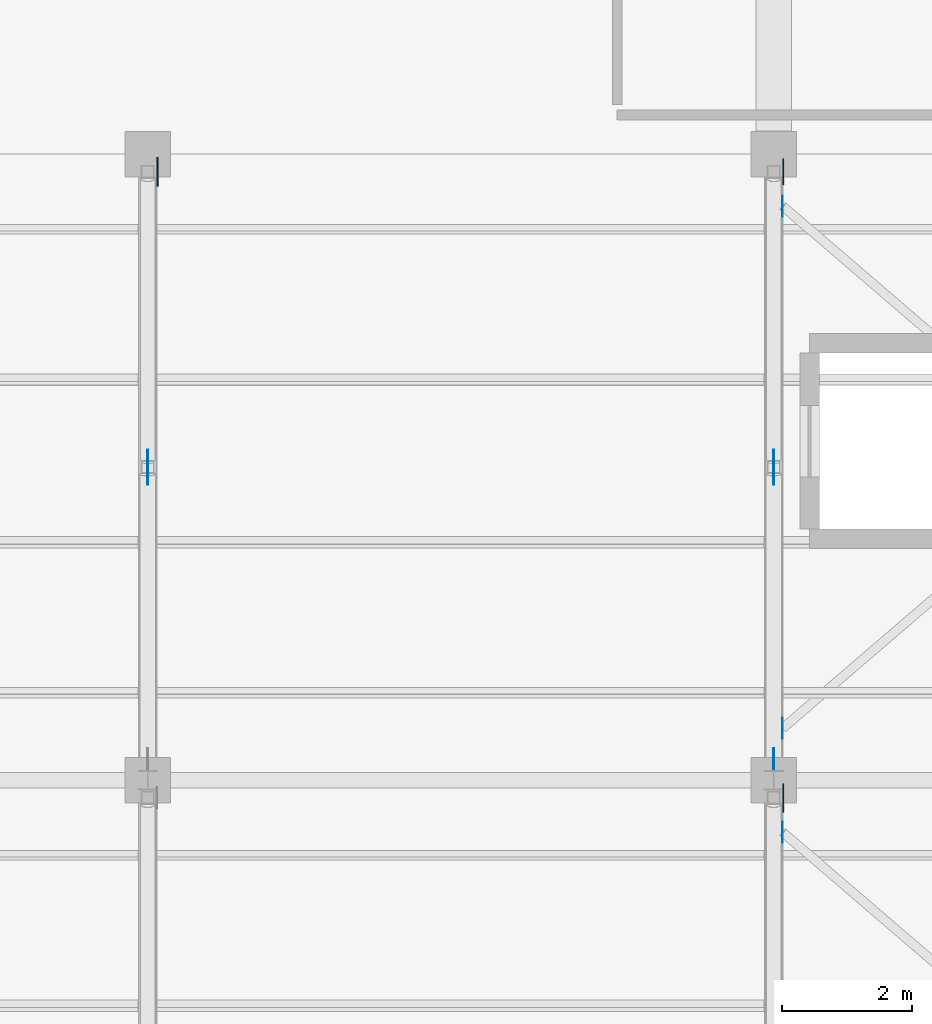
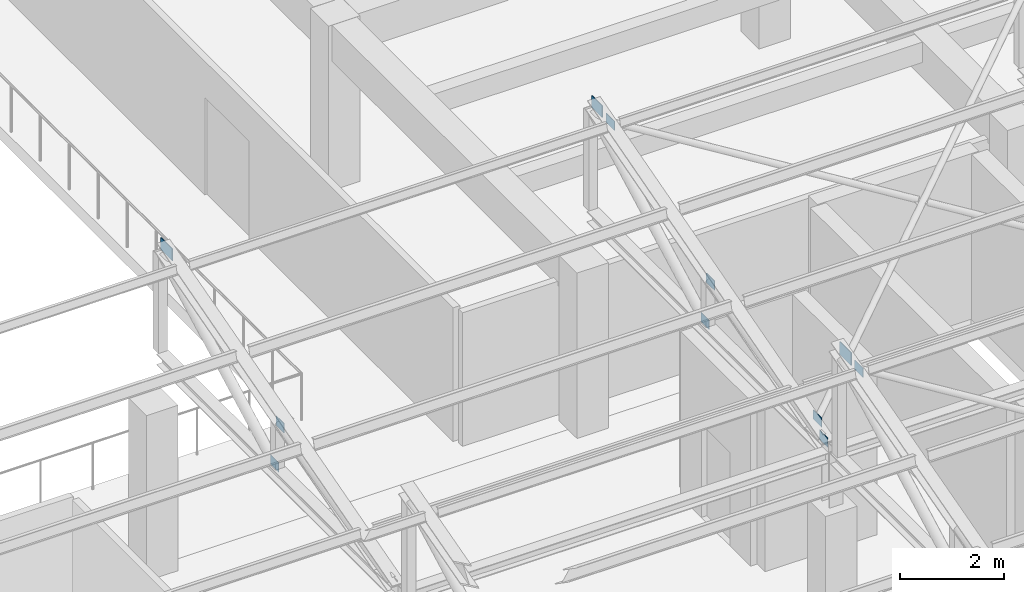
# One storey, part 52 of 71: 11 plates.
"""IFC4 building model written with IfcOpenShell, lengths in metres."""

import ifcopenshell
import ifcopenshell.guid

model = None  # the IFC model being written
_history = None  # IfcOwnerHistory: only IFC2X3 demands one
_inside = {}  # id of a spatial element -> (the spatial element, [elements in it])
_under = {}  # id of a project, library or spatial element -> (it, [spatial elements below it])
_declared = {}  # id of a project -> (the project, [libraries it declares])
_typed = {}  # id of a type object -> (the type object, [elements of that type])
_made_of = {}  # id of a material, layer set ... -> (it, [elements and type objects made of it])


def new_model(schema):
    """Start an empty IFC model of exactly this schema.

    Asked for "IFC4X3", IfcOpenShell would pick the latest addendum, in which some entities
    have other attributes; the version numbers below select the first issue.
    IFC2X3 requires an IfcOwnerHistory on every rooted entity: one is made here for all.
    """
    global model, _history
    if schema == "IFC4X3":
        model = ifcopenshell.file(schema_version=(4, 3, 0, 0))
    else:
        model = ifcopenshell.file(schema=schema)
    _inside.clear()
    _under.clear()
    _declared.clear()
    _typed.clear()
    _made_of.clear()
    _history = None
    if model.schema == "IFC2X3":
        org = make("IfcOrganization", Name="unknown")
        user = make(
            "IfcPersonAndOrganization",
            ThePerson=make("IfcPerson", FamilyName="unknown"),
            TheOrganization=org,
        )
        app = make(
            "IfcApplication",
            ApplicationDeveloper=org,
            Version="unknown",
            ApplicationFullName="unknown",
            ApplicationIdentifier="unknown",
        )
        _history = make(
            "IfcOwnerHistory",
            OwningUser=user,
            OwningApplication=app,
            ChangeAction="ADDED",
            CreationDate=0,
        )
    return model


def make(cls, **values):
    """One entity of the class cls with the attributes given. An attribute that is None is left unset."""
    return model.create_entity(
        cls, **{name: value for name, value in values.items() if value is not None}
    )


def rooted(cls, **values):
    """An entity with a GlobalId (a new one), such as an element, a storey or a relation."""
    return make(cls, GlobalId=ifcopenshell.guid.new(), OwnerHistory=_history, **values)


def si_unit(unit_type, name, prefix=None):
    """IfcSIUnit, for example si_unit("LENGTHUNIT", "METRE", prefix="MILLI")."""
    return make("IfcSIUnit", UnitType=unit_type, Prefix=prefix, Name=name)


def assignment(units):
    """IfcUnitAssignment: the units of a project."""
    return None if units is None else make("IfcUnitAssignment", Units=units)


def point(xyz):
    """IfcCartesianPoint."""
    return None if xyz is None else make("IfcCartesianPoint", Coordinates=xyz)


def direction(xyz):
    """IfcDirection."""
    return None if xyz is None else make("IfcDirection", DirectionRatios=xyz)


def frame(location, z_axis=None, x_axis=None):
    """IfcAxis2Placement3D, a coordinate frame: its origin and axes. An axis left out is left unset."""
    return make(
        "IfcAxis2Placement3D",
        Location=point(location),
        Axis=direction(z_axis),
        RefDirection=direction(x_axis),
    )


def frame_2d(location, x_axis=None):
    """IfcAxis2Placement2D, a coordinate frame in the plane: its origin and x axis."""
    return make(
        "IfcAxis2Placement2D", Location=point(location), RefDirection=direction(x_axis)
    )


def origin():
    """The frame at (0, 0, 0) with its axes left unset."""
    return frame((0.0, 0.0, 0.0))


def origin_2d():
    """The frame at (0, 0) in the plane with its x axis left unset."""
    return frame_2d((0.0, 0.0))


def place(relative_to, where):
    """IfcLocalPlacement: puts the frame where relative to a parent placement (None: the world)."""
    return make(
        "IfcLocalPlacement", PlacementRelTo=relative_to, RelativePlacement=where
    )


def context(
    kind, dimensions, precision=None, world=None, true_north=None, identifier=None
):
    """IfcGeometricRepresentationContext, for example the 3D "Model" context."""
    return make(
        "IfcGeometricRepresentationContext",
        ContextIdentifier=identifier,
        ContextType=kind,
        CoordinateSpaceDimension=dimensions,
        Precision=precision,
        WorldCoordinateSystem=world,
        TrueNorth=true_north,
    )


def subcontext(parent, identifier, kind, view, scale=None):
    """IfcGeometricRepresentationSubContext, for example "Body" below "Model"."""
    return make(
        "IfcGeometricRepresentationSubContext",
        ContextIdentifier=identifier,
        ContextType=kind,
        ParentContext=parent,
        TargetScale=scale,
        TargetView=view,
    )


def project(units=None, contexts=None):
    """IfcProject with its units and contexts."""
    return rooted(
        "IfcProject",
        Name="project",
        RepresentationContexts=contexts,
        UnitsInContext=assignment(units),
    )


def spatial(cls, under=None, at=None, **own):
    """A site, building, storey or space (cls), placed at a placement, below another one or the project."""
    s = rooted(cls, ObjectPlacement=at, **own)
    if under is not None:
        _under.setdefault(under.id(), (under, []))[1].append(s)
    return s


def profile(cls, at=None, kind="AREA", **sizes):
    """A parametric profile (cls). Its sizes go by their IFC names, for example OverallWidth=200.0."""
    return make(cls, ProfileType=kind, Position=at, **sizes)


def rectangle(**sizes):
    """IfcRectangleProfileDef."""
    return profile("IfcRectangleProfileDef", **sizes)


def extrude(swept, where, along, depth):
    """IfcExtrudedAreaSolid: the profile swept, set in the frame where, extruded along a direction by depth."""
    return make(
        "IfcExtrudedAreaSolid",
        SweptArea=swept,
        Position=where,
        ExtrudedDirection=direction(along),
        Depth=depth,
    )


def shape(context_of_items, identifier, shape_type, items):
    """IfcShapeRepresentation: the items that make up one representation, for example the "Body"."""
    return make(
        "IfcShapeRepresentation",
        ContextOfItems=context_of_items,
        RepresentationIdentifier=identifier,
        RepresentationType=shape_type,
        Items=items,
    )


def material(Name=None, Category=None):
    """IfcMaterial."""
    return make("IfcMaterial", Name=Name, Category=Category)


def layer(
    of_material, thickness, ventilated=None, Name=None, Category=None, Priority=None
):
    """IfcMaterialLayer: one layer of a wall or slab, of a material (None: an air gap)."""
    return make(
        "IfcMaterialLayer",
        Material=of_material,
        LayerThickness=thickness,
        IsVentilated=ventilated,
        Name=Name,
        Category=Category,
        Priority=Priority,
    )


def layer_set(layers, Name=None):
    """IfcMaterialLayerSet."""
    return make("IfcMaterialLayerSet", MaterialLayers=layers, LayerSetName=Name)


def made_of(thing, what):
    """Note that an element or type object is made of a material, layer set ...; save() writes the relation."""
    if what is not None:
        _made_of.setdefault(what.id(), (what, []))[1].append(thing)
    return thing


def type_object(cls, material=None, **own):
    """A type object (cls), such as IfcWallType, which elements share."""
    return made_of(rooted(cls, **own), material)


def element(
    cls,
    number,
    at=None,
    inside=None,
    cuts=None,
    type_object=None,
    material=None,
    context=None,
    identifier="Body",
    shape_type=None,
    held_by="IfcProductDefinitionShape",
    body=None,
    shapes=None,
    **own,
):
    """One element of the class cls, such as IfcWall. Its Tag is "e" and its number.

    at: its placement. inside: the storey or other place that contains it. cuts: it is an
    opening in that element (IfcRelVoidsElement). A single representation is given by context,
    identifier, shape_type and body (its items); several are given by shapes. held_by: the class
    of the entity that holds the representations. save() writes the other relations.
    """
    e = rooted(cls, Tag="e%d" % number, ObjectPlacement=at, **own)
    if body is not None:
        shapes = [shape(context, identifier, shape_type, body)]
    if shapes is not None:
        e.Representation = make(held_by, Representations=shapes)
    if inside is not None:
        _inside.setdefault(inside.id(), (inside, []))[1].append(e)
    if cuts is not None:
        rooted(
            "IfcRelVoidsElement", RelatingBuildingElement=cuts, RelatedOpeningElement=e
        )
    if type_object is not None:
        _typed.setdefault(type_object.id(), (type_object, []))[1].append(e)
    return made_of(e, material)


def aggregate(whole, parts):
    """IfcRelAggregates: a whole, such as a stair, and the parts it consists of."""
    return rooted("IfcRelAggregates", RelatingObject=whole, RelatedObjects=parts)


def save(model, path):
    """Write the relations noted so far, then the file.

    IfcRelAggregates (storeys below a building ...), IfcRelContainedInSpatialStructure (elements
    in a storey), IfcRelDefinesByType, IfcRelAssociatesMaterial and IfcRelDeclares: one each for
    every whole, place, type object, material and project.
    """
    for whole, parts in _under.values():
        aggregate(whole, parts)
    for where, things in _inside.values():
        rooted(
            "IfcRelContainedInSpatialStructure",
            RelatedElements=things,
            RelatingStructure=where,
        )
    for kind, things in _typed.values():
        rooted("IfcRelDefinesByType", RelatedObjects=things, RelatingType=kind)
    for what, things in _made_of.values():
        rooted("IfcRelAssociatesMaterial", RelatedObjects=things, RelatingMaterial=what)
    for by, libraries in _declared.values():
        rooted("IfcRelDeclares", RelatingContext=by, RelatedDefinitions=libraries)
    model.write(path)


model = new_model("IFC4")

# Units and contexts
model_context = context("Model", 3, precision=1e-05, world=origin(), true_north=direction((0.0, 1.0)))
body_context = subcontext(model_context, "Body", "Model", "MODEL_VIEW")
ifc_project = project(units=[si_unit("LENGTHUNIT", "METRE"), si_unit("AREAUNIT", "SQUARE_METRE"), si_unit("VOLUMEUNIT", "CUBIC_METRE"), si_unit("PLANEANGLEUNIT", "RADIAN"), si_unit("MASSUNIT", "GRAM", prefix="KILO")], contexts=[model_context])

# Site, building, storey
site_placement = place(None, origin())
site = spatial("IfcSite", under=ifc_project, at=site_placement, CompositionType="ELEMENT")
building_placement = place(site_placement, origin())
building = spatial("IfcBuilding", under=site, at=building_placement, Name="Bempovik Park Faculty of Sciences", CompositionType="ELEMENT")
storey_placement = place(building_placement, frame((0.0, 0.0, 14.10009765625)))
storey = spatial("IfcBuildingStorey", under=building, at=storey_placement, Name="L03", CompositionType="ELEMENT", Elevation=14.10009765625)

# Plates
ifc_material = material(Name="Steel S355", Category="steel")
ifc_layer_1 = layer(ifc_material, 0.01611328125)
ifc_layer_set_1 = layer_set([ifc_layer_1], Name="Steel S355")
plate_type_1 = type_object("IfcPlateType", Name="PL-18 Steel Plate 400x280x16", PredefinedType="SHEET", material=ifc_layer_set_1)
plate_1_placement = place(storey_placement, frame((108.14599609375, 67.530029296875, 7.46435546875), z_axis=(0.0, 0.0, 1.0), x_axis=(1.0, 0.0, 0.0)))
element("IfcPlate", 1, at=plate_1_placement, inside=storey, type_object=plate_type_1, Name="Sawtooth Ridge Gusset Plate V1-B5-108.0", PredefinedType="SHEET", context=body_context, shape_type="SweptSolid", body=[
    extrude(rectangle(XDim=0.01611328125, YDim=0.39990234375, at=origin_2d()), origin(), (0.0, 0.0, 1.0), 0.280029296875),
])
ifc_layer_2 = layer(ifc_material, 0.011962890625)
ifc_layer_set_2 = layer_set([ifc_layer_2], Name="Steel S355")
plate_type_2 = type_object("IfcPlateType", Name="PL-26 Steel Plate 320x220x12", PredefinedType="SHEET", material=ifc_layer_set_2)
for number, where, z_axis, x_axis, name in (
    (2, (108.135986328125, 57.39990234375, 7.46044921875), (0.0, 0.0, 1.0), (1.0, 0.0, 0.0), "Sawtooth X-Brace End Gusset V1-B4-108.0-3"),
    (3, (108.135986328125, 59.0, 5.31640625), (0.0, 0.0, 1.0), (1.0, 0.0, 0.0), "Sawtooth X-Brace End Gusset V1-B5-108.0-1"),
    (4, (108.135986328125, 67.0, 7.46044921875), (0.0, 0.0, 1.0), (1.0, 0.0, 0.0), "Sawtooth X-Brace End Gusset V1-B5-108.0-3"),
    (5, (98.39990234375, 62.89501953125, 6.228515625), (0.0, 0.0, 1.0), (1.0, 0.0, 0.0), "Brace/Strut End Gusset Plate SAW-V1-B5-D1-984-E2"),
    (6, (98.39990234375, 63.10498046875, 5.17578125), (0.0, 0.0, 1.0), (1.0, 0.0, 0.0), "Brace/Strut End Gusset Plate SAW-V1-B5-D2-984-E1"),
    (7, (108.0, 58.530029296875, 5.17578125), (0.0, 0.0, 1.0), (1.0, 0.0, 0.0), "Brace/Strut End Gusset Plate SAW-V1-B5-D1-1080-E1"),
    (8, (108.0, 62.89501953125, 6.228515625), (0.0, 0.0, 1.0), (1.0, 0.0, 0.0), "Brace/Strut End Gusset Plate SAW-V1-B5-D1-1080-E2"),
    (9, (108.0, 63.10498046875, 5.17578125), (0.0, 0.0, 1.0), (1.0, 0.0, 0.0), "Brace/Strut End Gusset Plate SAW-V1-B5-D2-1080-E1"),
):
    element("IfcPlate", number, at=place(storey_placement, frame(where, z_axis=z_axis, x_axis=x_axis)), inside=storey, type_object=plate_type_2, Name=name, PredefinedType="SHEET", context=body_context, shape_type="SweptSolid", body=[
        extrude(rectangle(XDim=0.011962890625, YDim=0.320068359375, at=origin_2d()), origin(), (0.0, 0.0, 1.0), 0.219970703125),
    ])
ifc_layer_3 = layer(ifc_material, 0.01611328125)
ifc_layer_set_3 = layer_set([ifc_layer_3], Name="Steel S355")
plate_type_3 = type_object("IfcPlateType", Name="PL-33 Steel Plate 440x300x16", PredefinedType="SHEET", material=ifc_layer_set_3)
plate_2_placement = place(storey_placement, frame((108.14599609375, 57.929931640625, 7.45458984375), z_axis=(0.0, 0.0, 1.0), x_axis=(1.0, 0.0, 0.0)))
element("IfcPlate", 10, at=plate_2_placement, inside=storey, type_object=plate_type_3, Name="Sawtooth Ridge Gusset Plate V1-B4-108.0", PredefinedType="SHEET", context=body_context, shape_type="SweptSolid", body=[
    extrude(rectangle(XDim=0.01611328125, YDim=0.43994140625, at=origin_2d()), origin(), (0.0, 0.0, 1.0), 0.300048828125),
])
ifc_layer_4 = layer(ifc_material, 0.02001953125)
ifc_layer_set_4 = layer_set([ifc_layer_4], Name="Steel S355")
plate_type_4 = type_object("IfcPlateType", Name="PL-36 Steel Plate 450x280x20", PredefinedType="USERDEFINED", material=ifc_layer_set_4)
plate_3_placement = place(storey_placement, frame((98.548095703125, 67.530029296875, 7.46435546875), z_axis=(0.0, 0.0, 1.0), x_axis=(1.0, 0.0, 0.0)))
element("IfcPlate", 11, at=plate_3_placement, inside=storey, type_object=plate_type_4, Name="Sawtooth Ridge Gusset Plate V1-B5-98.4", ObjectType="STIFFENER PLATE", PredefinedType="USERDEFINED", context=body_context, shape_type="SweptSolid", body=[
    extrude(rectangle(XDim=0.02001953125, YDim=0.449951171875, at=origin_2d()), origin(), (0.0, 0.0, 1.0), 0.280029296875),
])

save(model, "model.ifc")
